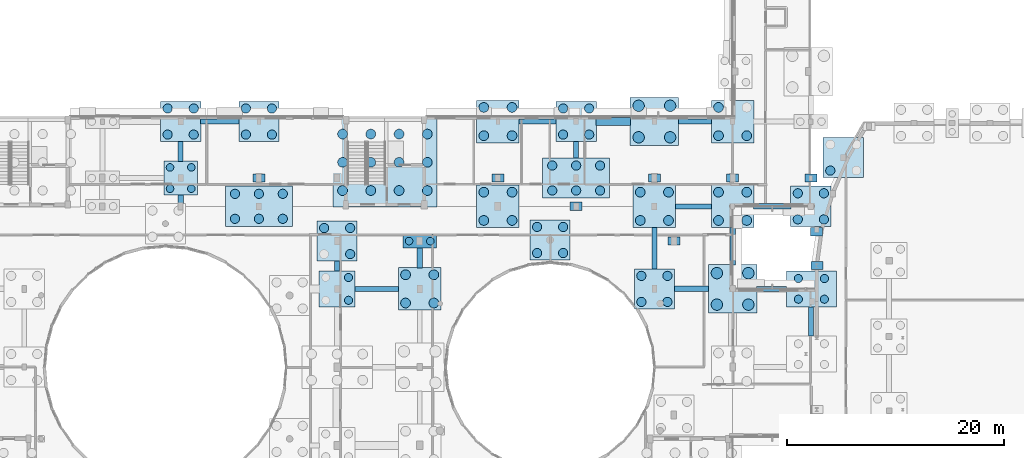
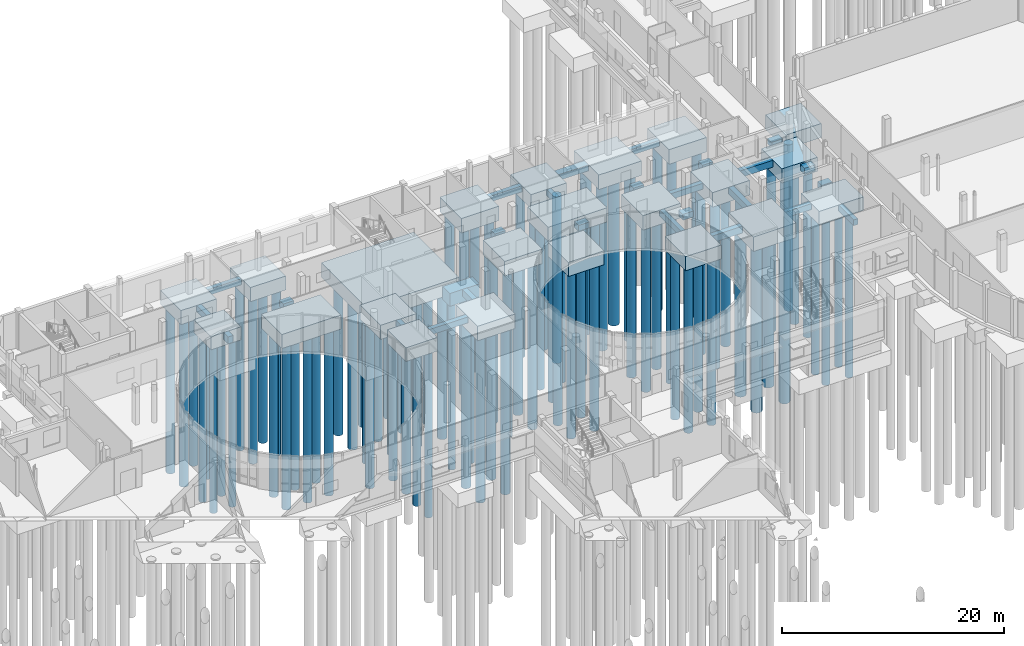
# One storey, part 7 of 93: 95 piles, 49 footings.
"""IFC4 building model written with IfcOpenShell, lengths in metres."""

from ifc_helpers import new_model, si_unit, direction, frame, origin, origin_2d, place, context, subcontext, project, spatial, rectangle, circle, extrude, material, material_profile, profile_set, type_object, element, save


model = new_model("IFC4")

# Units and contexts
model_context = context("Model", 3, precision=1e-05, world=origin(), true_north=direction((0.0, 1.0)))
body_context = subcontext(model_context, "Body", "Model", "MODEL_VIEW")
ifc_project = project(units=[si_unit("LENGTHUNIT", "METRE"), si_unit("AREAUNIT", "SQUARE_METRE"), si_unit("VOLUMEUNIT", "CUBIC_METRE"), si_unit("PLANEANGLEUNIT", "RADIAN"), si_unit("MASSUNIT", "GRAM", prefix="KILO")], contexts=[model_context])

# Site, building, storey
site_placement = place(None, origin())
site = spatial("IfcSite", under=ifc_project, at=site_placement, CompositionType="ELEMENT")
building_placement = place(site_placement, origin())
building = spatial("IfcBuilding", under=site, at=building_placement, Name="Kelanivale Promenade Academy", CompositionType="ELEMENT")
storey_placement = place(building_placement, origin())
storey = spatial("IfcBuildingStorey", under=building, at=storey_placement, Name="L00", CompositionType="ELEMENT", Elevation=0.0)

# Piles
ifc_material = material(Name="Concrete C35/45", Category="concrete")
ifc_material_profile_1 = material_profile(ifc_material, circle(Radius=0.35009765625, at=origin_2d()), Name="BORED PILE D700")
ifc_profile_set_1 = profile_set([ifc_material_profile_1], Name="Concrete C35/45")
pile_type_1 = type_object("IfcPileType", Name="BP-2 BORED PILE D700", PredefinedType="BORED", material=ifc_profile_set_1)
for number, where, z_axis, x_axis, name in (
    (1, (63.820068359375, 73.219970703125, -1.550048828125), (0.0, 0.0, -1.0), (1.0, 0.0, 0.0), "Bored pile FC-076-BP2-P01"),
    (2, (63.820068359375, 75.179931640625, -1.550048828125), (0.0, 0.0, -1.0), (1.0, 0.0, 0.0), "Bored pile FC-076-BP2-P02"),
    (3, (65.780029296875, 73.219970703125, -1.550048828125), (0.0, 0.0, -1.0), (1.0, 0.0, 0.0), "Bored pile FC-076-BP2-P03"),
    (4, (65.780029296875, 75.179931640625, -1.550048828125), (0.0, 0.0, -1.0), (1.0, 0.0, 0.0), "Bored pile FC-076-BP2-P04"),
):
    element("IfcPile", number, at=place(storey_placement, frame(where, z_axis=z_axis, x_axis=x_axis)), inside=storey, type_object=pile_type_1, Name=name, PredefinedType="BORED", context=body_context, shape_type="SweptSolid", body=[
        extrude(circle(Radius=0.35009765625, at=origin_2d()), origin(), (0.0, 0.0, 1.0), 18.449951171875),
    ])
for number, where, z_axis, x_axis, name in (
    (5, (85.820068359375, 68.39990234375, -1.5), (0.0, 0.0, -1.0), (1.0, 0.0, 0.0), "Bored pile FC-107-BP2-P01"),
    (6, (87.780029296875, 68.39990234375, -1.5), (0.0, 0.0, -1.0), (1.0, 0.0, 0.0), "Bored pile FC-107-BP2-P02"),
):
    element("IfcPile", number, at=place(storey_placement, frame(where, z_axis=z_axis, x_axis=x_axis)), inside=storey, type_object=pile_type_1, Name=name, PredefinedType="BORED", context=body_context, shape_type="SweptSolid", body=[
        extrude(circle(Radius=0.35009765625, at=origin_2d()), origin(), (0.0, 0.0, 1.0), 18.5),
    ])
ifc_material_profile_2 = material_profile(ifc_material, circle(Radius=0.375, at=origin_2d()), Name="BORED PILE D750")
ifc_profile_set_2 = profile_set([ifc_material_profile_2], Name="Concrete C35/45")
pile_type_2 = type_object("IfcPileType", Name="BP-3 BORED PILE D750", PredefinedType="BORED", material=ifc_profile_set_2)
for number, where, z_axis, x_axis, name in (
    (7, (121.64990234375, 63.050048828125, -1.64990234375), (0.0, 0.0, -1.0), (1.0, 0.0, 0.0), "Bored pile FC-MJ-E03-BP3-P01"),
    (8, (121.64990234375, 64.949951171875, -1.64990234375), (0.0, 0.0, -1.0), (1.0, 0.0, 0.0), "Bored pile FC-MJ-E03-BP3-P02"),
    (9, (124.050048828125, 63.050048828125, -1.64990234375), (0.0, 0.0, -1.0), (1.0, 0.0, 0.0), "Bored pile FC-MJ-E03-BP3-P03"),
    (10, (124.050048828125, 64.949951171875, -1.64990234375), (0.0, 0.0, -1.0), (1.0, 0.0, 0.0), "Bored pile FC-MJ-E03-BP3-P04"),
):
    element("IfcPile", number, at=place(storey_placement, frame(where, z_axis=z_axis, x_axis=x_axis)), inside=storey, type_object=pile_type_2, Name=name, PredefinedType="BORED", context=body_context, shape_type="SweptSolid", body=[
        extrude(circle(Radius=0.375, at=origin_2d()), origin(), (0.0, 0.0, 1.0), 18.35009765625),
    ])
for number, where, z_axis, x_axis, name in (
    (11, (80.25, 62.949951171875, -1.60009765625), (0.0, 0.0, -1.0), (1.0, 0.0, 0.0), "Bored pile FC-096-BP3-P03"),
    (12, (80.25, 65.050048828125, -1.60009765625), (0.0, 0.0, -1.0), (1.0, 0.0, 0.0), "Bored pile FC-096-BP3-P04"),
):
    element("IfcPile", number, at=place(storey_placement, frame(where, z_axis=z_axis, x_axis=x_axis)), inside=storey, type_object=pile_type_2, Name=name, PredefinedType="BORED", context=body_context, shape_type="SweptSolid", body=[
        extrude(circle(Radius=0.375, at=origin_2d()), origin(), (0.0, 0.0, 1.0), 18.39990234375),
    ])
ifc_material_profile_3 = material_profile(ifc_material, circle(Radius=0.425048828125, at=origin_2d()), Name="BORED PILE D850")
ifc_profile_set_3 = profile_set([ifc_material_profile_3], Name="Concrete C35/45")
pile_type_3 = type_object("IfcPileType", Name="BP-4 BORED PILE D850", PredefinedType="BORED", material=ifc_profile_set_3)
for number, where, z_axis, x_axis, name in (
    (13, (63.60009765625, 78.199951171875, -1.64990234375), (0.0, 0.0, -1.0), (1.0, 0.0, 0.0), "Bored pile FC-077-BP4-P01"),
    (14, (63.60009765625, 80.60009765625, -1.64990234375), (0.0, 0.0, -1.0), (1.0, 0.0, 0.0), "Bored pile FC-077-BP4-P02"),
    (15, (66.0, 78.199951171875, -1.64990234375), (0.0, 0.0, -1.0), (1.0, 0.0, 0.0), "Bored pile FC-077-BP4-P03"),
    (16, (66.0, 80.60009765625, -1.64990234375), (0.0, 0.0, -1.0), (1.0, 0.0, 0.0), "Bored pile FC-077-BP4-P04"),
    (17, (69.800048828125, 70.449951171875, -1.64990234375), (0.0, 0.0, -1.0), (1.0, 0.0, 0.0), "Bored pile FC-084-BP4-P01"),
    (18, (72.0, 70.449951171875, -1.64990234375), (0.0, 0.0, -1.0), (1.0, 0.0, 0.0), "Bored pile FC-084-BP4-P02"),
    (19, (74.199951171875, 70.449951171875, -1.64990234375), (0.0, 0.0, -1.0), (1.0, 0.0, 0.0), "Bored pile FC-084-BP4-P03"),
    (20, (69.800048828125, 72.75, -1.64990234375), (0.0, 0.0, -1.0), (1.0, 0.0, 0.0), "Bored pile FC-084-BP4-P04"),
    (21, (72.0, 72.75, -1.64990234375), (0.0, 0.0, -1.0), (1.0, 0.0, 0.0), "Bored pile FC-084-BP4-P05"),
    (22, (74.199951171875, 72.75, -1.64990234375), (0.0, 0.0, -1.0), (1.0, 0.0, 0.0), "Bored pile FC-084-BP4-P06"),
    (23, (70.800048828125, 78.199951171875, -1.64990234375), (0.0, 0.0, -1.0), (1.0, 0.0, 0.0), "Bored pile FC-085-BP4-P01"),
    (24, (70.800048828125, 80.60009765625, -1.64990234375), (0.0, 0.0, -1.0), (1.0, 0.0, 0.0), "Bored pile FC-085-BP4-P02"),
    (25, (73.199951171875, 78.199951171875, -1.64990234375), (0.0, 0.0, -1.0), (1.0, 0.0, 0.0), "Bored pile FC-085-BP4-P03"),
    (26, (73.199951171875, 80.60009765625, -1.64990234375), (0.0, 0.0, -1.0), (1.0, 0.0, 0.0), "Bored pile FC-085-BP4-P04"),
    (27, (78.0, 69.60009765625, -1.64990234375), (0.0, 0.0, -1.0), (1.0, 0.0, 0.0), "Bored pile FC-097-BP4-P02"),
    (28, (80.39990234375, 67.199951171875, -1.64990234375), (0.0, 0.0, -1.0), (1.0, 0.0, 0.0), "Bored pile FC-097-BP4-P03"),
    (29, (80.39990234375, 69.60009765625, -1.64990234375), (0.0, 0.0, -1.0), (1.0, 0.0, 0.0), "Bored pile FC-097-BP4-P04"),
    (30, (97.60009765625, 67.300048828125, -1.64990234375), (0.0, 0.0, -1.0), (1.0, 0.0, 0.0), "Bored pile FC-121-BP4-P01"),
    (31, (97.60009765625, 69.699951171875, -1.64990234375), (0.0, 0.0, -1.0), (1.0, 0.0, 0.0), "Bored pile FC-121-BP4-P02"),
    (32, (100.0, 67.300048828125, -1.64990234375), (0.0, 0.0, -1.0), (1.0, 0.0, 0.0), "Bored pile FC-121-BP4-P03"),
    (33, (100.0, 69.699951171875, -1.64990234375), (0.0, 0.0, -1.0), (1.0, 0.0, 0.0), "Bored pile FC-121-BP4-P04"),
    (34, (99.0, 73.050048828125, -1.64990234375), (0.0, 0.0, -1.0), (1.0, 0.0, 0.0), "Bored pile FC-126-BP4-P01"),
    (35, (101.199951171875, 73.050048828125, -1.64990234375), (0.0, 0.0, -1.0), (1.0, 0.0, 0.0), "Bored pile FC-126-BP4-P02"),
    (36, (103.39990234375, 73.050048828125, -1.64990234375), (0.0, 0.0, -1.0), (1.0, 0.0, 0.0), "Bored pile FC-126-BP4-P03"),
    (37, (99.0, 75.35009765625, -1.64990234375), (0.0, 0.0, -1.0), (1.0, 0.0, 0.0), "Bored pile FC-126-BP4-P04"),
    (38, (101.199951171875, 75.35009765625, -1.64990234375), (0.0, 0.0, -1.0), (1.0, 0.0, 0.0), "Bored pile FC-126-BP4-P05"),
    (39, (103.39990234375, 75.35009765625, -1.64990234375), (0.0, 0.0, -1.0), (1.0, 0.0, 0.0), "Bored pile FC-126-BP4-P06"),
    (40, (100.0, 78.199951171875, -1.64990234375), (0.0, 0.0, -1.0), (1.0, 0.0, 0.0), "Bored pile FC-127-BP4-P01"),
    (41, (100.0, 80.60009765625, -1.64990234375), (0.0, 0.0, -1.0), (1.0, 0.0, 0.0), "Bored pile FC-127-BP4-P02"),
    (42, (102.39990234375, 78.199951171875, -1.64990234375), (0.0, 0.0, -1.0), (1.0, 0.0, 0.0), "Bored pile FC-127-BP4-P03"),
    (43, (102.39990234375, 80.60009765625, -1.64990234375), (0.0, 0.0, -1.0), (1.0, 0.0, 0.0), "Bored pile FC-127-BP4-P04"),
    (44, (107.199951171875, 62.800048828125, -1.64990234375), (0.0, 0.0, -1.0), (1.0, 0.0, 0.0), "Bored pile FC-130-BP4-P01"),
    (45, (107.199951171875, 65.199951171875, -1.64990234375), (0.0, 0.0, -1.0), (1.0, 0.0, 0.0), "Bored pile FC-130-BP4-P02"),
    (46, (109.60009765625, 62.800048828125, -1.64990234375), (0.0, 0.0, -1.0), (1.0, 0.0, 0.0), "Bored pile FC-130-BP4-P03"),
    (47, (109.60009765625, 65.199951171875, -1.64990234375), (0.0, 0.0, -1.0), (1.0, 0.0, 0.0), "Bored pile FC-130-BP4-P04"),
    (48, (121.60009765625, 70.39990234375, -1.64990234375), (0.0, 0.0, -1.0), (1.0, 0.0, 0.0), "Bored pile FC-142-BP4-P01"),
    (49, (121.60009765625, 72.800048828125, -1.64990234375), (0.0, 0.0, -1.0), (1.0, 0.0, 0.0), "Bored pile FC-142-BP4-P02"),
    (50, (124.0, 70.39990234375, -1.64990234375), (0.0, 0.0, -1.0), (1.0, 0.0, 0.0), "Bored pile FC-142-BP4-P03"),
    (51, (124.0, 72.800048828125, -1.64990234375), (0.0, 0.0, -1.0), (1.0, 0.0, 0.0), "Bored pile FC-142-BP4-P04"),
):
    element("IfcPile", number, at=place(storey_placement, frame(where, z_axis=z_axis, x_axis=x_axis)), inside=storey, type_object=pile_type_3, Name=name, PredefinedType="BORED", context=body_context, shape_type="SweptSolid", body=[
        extrude(circle(Radius=0.425048828125, at=origin_2d()), origin(), (0.0, 0.0, 1.0), 18.35009765625),
    ])
pile_placement = place(storey_placement, frame((124.590087890625, 74.885986328125, -1.699951171875), z_axis=(0.0, 0.0, -1.0), x_axis=(1.0, 0.0, 0.0)))
element("IfcPile", 52, at=pile_placement, inside=storey, type_object=pile_type_3, Name="Bored pile FC-148-BP4-P01", PredefinedType="BORED", context=body_context, shape_type="SweptSolid", body=[
    extrude(circle(Radius=0.425048828125, at=origin_2d()), origin(), (0.0, 0.0, 1.0), 18.300048828125),
])
ifc_material_profile_4 = material_profile(ifc_material, circle(Radius=0.449951171875, at=origin_2d()), Name="BORED PILE D900")
ifc_profile_set_4 = profile_set([ifc_material_profile_4], Name="Concrete C35/45")
pile_type_4 = type_object("IfcPileType", Name="BP-5 BORED PILE D900", PredefinedType="BORED", material=ifc_profile_set_4)
for number, where, z_axis, x_axis, name in (
    (53, (79.699951171875, 73.050048828125, -3.300048828125), (0.0, 0.0, -1.0), (1.0, 0.0, 0.0), "Bored pile FC-CORE-02-BP5-P01"),
    (54, (79.699951171875, 75.64990234375, -3.300048828125), (0.0, 0.0, -1.0), (1.0, 0.0, 0.0), "Bored pile FC-CORE-02-BP5-P02"),
    (55, (79.699951171875, 78.25, -3.300048828125), (0.0, 0.0, -1.0), (1.0, 0.0, 0.0), "Bored pile FC-CORE-02-BP5-P03"),
    (56, (82.300048828125, 73.050048828125, -3.300048828125), (0.0, 0.0, -1.0), (1.0, 0.0, 0.0), "Bored pile FC-CORE-02-BP5-P04"),
    (57, (82.300048828125, 75.64990234375, -3.300048828125), (0.0, 0.0, -1.0), (1.0, 0.0, 0.0), "Bored pile FC-CORE-02-BP5-P05"),
    (58, (82.300048828125, 78.25, -3.300048828125), (0.0, 0.0, -1.0), (1.0, 0.0, 0.0), "Bored pile FC-CORE-02-BP5-P06"),
    (59, (84.89990234375, 73.050048828125, -3.300048828125), (0.0, 0.0, -1.0), (1.0, 0.0, 0.0), "Bored pile FC-CORE-02-BP5-P07"),
    (60, (84.89990234375, 75.64990234375, -3.300048828125), (0.0, 0.0, -1.0), (1.0, 0.0, 0.0), "Bored pile FC-CORE-02-BP5-P08"),
    (61, (84.89990234375, 78.25, -3.300048828125), (0.0, 0.0, -1.0), (1.0, 0.0, 0.0), "Bored pile FC-CORE-02-BP5-P09"),
    (62, (87.5, 73.050048828125, -3.300048828125), (0.0, 0.0, -1.0), (1.0, 0.0, 0.0), "Bored pile FC-CORE-02-BP5-P10"),
    (63, (87.5, 75.64990234375, -3.300048828125), (0.0, 0.0, -1.0), (1.0, 0.0, 0.0), "Bored pile FC-CORE-02-BP5-P11"),
    (64, (87.5, 78.25, -3.300048828125), (0.0, 0.0, -1.0), (1.0, 0.0, 0.0), "Bored pile FC-CORE-02-BP5-P12"),
):
    element("IfcPile", number, at=place(storey_placement, frame(where, z_axis=z_axis, x_axis=x_axis)), inside=storey, type_object=pile_type_4, Name=name, PredefinedType="BORED", context=body_context, shape_type="SweptSolid", body=[
        extrude(circle(Radius=0.449951171875, at=origin_2d()), origin(), (0.0, 0.0, 1.0), 16.699951171875),
    ])
for number, where, z_axis, x_axis, name in (
    (65, (85.5, 62.699951171875, -1.699951171875), (0.0, 0.0, -1.0), (1.0, 0.0, 0.0), "Bored pile FC-106-BP5-P01"),
    (66, (85.5, 65.300048828125, -1.699951171875), (0.0, 0.0, -1.0), (1.0, 0.0, 0.0), "Bored pile FC-106-BP5-P02"),
    (67, (88.10009765625, 62.699951171875, -1.699951171875), (0.0, 0.0, -1.0), (1.0, 0.0, 0.0), "Bored pile FC-106-BP5-P03"),
    (68, (88.10009765625, 65.300048828125, -1.699951171875), (0.0, 0.0, -1.0), (1.0, 0.0, 0.0), "Bored pile FC-106-BP5-P04"),
    (69, (92.699951171875, 70.300048828125, -1.699951171875), (0.0, 0.0, -1.0), (1.0, 0.0, 0.0), "Bored pile FC-118-BP5-P01"),
    (70, (92.699951171875, 72.89990234375, -1.699951171875), (0.0, 0.0, -1.0), (1.0, 0.0, 0.0), "Bored pile FC-118-BP5-P02"),
    (71, (95.300048828125, 70.300048828125, -1.699951171875), (0.0, 0.0, -1.0), (1.0, 0.0, 0.0), "Bored pile FC-118-BP5-P03"),
    (72, (95.300048828125, 72.89990234375, -1.699951171875), (0.0, 0.0, -1.0), (1.0, 0.0, 0.0), "Bored pile FC-118-BP5-P04"),
    (73, (92.699951171875, 78.10009765625, -1.699951171875), (0.0, 0.0, -1.0), (1.0, 0.0, 0.0), "Bored pile FC-119-BP5-P01"),
    (74, (92.699951171875, 80.699951171875, -1.699951171875), (0.0, 0.0, -1.0), (1.0, 0.0, 0.0), "Bored pile FC-119-BP5-P02"),
    (75, (95.300048828125, 78.10009765625, -1.699951171875), (0.0, 0.0, -1.0), (1.0, 0.0, 0.0), "Bored pile FC-119-BP5-P03"),
    (76, (95.300048828125, 80.699951171875, -1.699951171875), (0.0, 0.0, -1.0), (1.0, 0.0, 0.0), "Bored pile FC-119-BP5-P04"),
    (77, (107.10009765625, 70.300048828125, -1.699951171875), (0.0, 0.0, -1.0), (1.0, 0.0, 0.0), "Bored pile FC-131-BP5-P01"),
    (78, (107.10009765625, 72.89990234375, -1.699951171875), (0.0, 0.0, -1.0), (1.0, 0.0, 0.0), "Bored pile FC-131-BP5-P02"),
    (79, (109.699951171875, 70.300048828125, -1.699951171875), (0.0, 0.0, -1.0), (1.0, 0.0, 0.0), "Bored pile FC-131-BP5-P03"),
    (80, (109.699951171875, 72.89990234375, -1.699951171875), (0.0, 0.0, -1.0), (1.0, 0.0, 0.0), "Bored pile FC-131-BP5-P04"),
    (81, (114.300048828125, 70.300048828125, -1.699951171875), (0.0, 0.0, -1.0), (1.0, 0.0, 0.0), "Bored pile FC-136-BP5-P01"),
    (82, (114.300048828125, 72.89990234375, -1.699951171875), (0.0, 0.0, -1.0), (1.0, 0.0, 0.0), "Bored pile FC-136-BP5-P02"),
    (83, (116.89990234375, 70.300048828125, -1.699951171875), (0.0, 0.0, -1.0), (1.0, 0.0, 0.0), "Bored pile FC-136-BP5-P03"),
    (84, (116.89990234375, 72.89990234375, -1.699951171875), (0.0, 0.0, -1.0), (1.0, 0.0, 0.0), "Bored pile FC-136-BP5-P04"),
    (85, (114.300048828125, 78.10009765625, -1.699951171875), (0.0, 0.0, -1.0), (1.0, 0.0, 0.0), "Bored pile FC-137-BP5-P01"),
    (86, (114.300048828125, 80.699951171875, -1.699951171875), (0.0, 0.0, -1.0), (1.0, 0.0, 0.0), "Bored pile FC-137-BP5-P02"),
    (87, (116.89990234375, 78.10009765625, -1.699951171875), (0.0, 0.0, -1.0), (1.0, 0.0, 0.0), "Bored pile FC-137-BP5-P03"),
):
    element("IfcPile", number, at=place(storey_placement, frame(where, z_axis=z_axis, x_axis=x_axis)), inside=storey, type_object=pile_type_4, Name=name, PredefinedType="BORED", context=body_context, shape_type="SweptSolid", body=[
        extrude(circle(Radius=0.449951171875, at=origin_2d()), origin(), (0.0, 0.0, 1.0), 18.300048828125),
    ])
ifc_material_profile_5 = material_profile(ifc_material, circle(Radius=0.52490234375, at=origin_2d()), Name="BORED PILE D1050")
ifc_profile_set_5 = profile_set([ifc_material_profile_5], Name="Concrete C35/45")
pile_type_5 = type_object("IfcPileType", Name="BP-6 BORED PILE D1050", PredefinedType="BORED", material=ifc_profile_set_5)
for number, where, z_axis, x_axis, name in (
    (88, (106.949951171875, 77.949951171875, -1.699951171875), (0.0, 0.0, -1.0), (1.0, 0.0, 0.0), "Bored pile FC-132-BP6-P01"),
    (89, (106.949951171875, 80.85009765625, -1.699951171875), (0.0, 0.0, -1.0), (1.0, 0.0, 0.0), "Bored pile FC-132-BP6-P02"),
    (90, (109.85009765625, 77.949951171875, -1.699951171875), (0.0, 0.0, -1.0), (1.0, 0.0, 0.0), "Bored pile FC-132-BP6-P03"),
    (91, (109.85009765625, 80.85009765625, -1.699951171875), (0.0, 0.0, -1.0), (1.0, 0.0, 0.0), "Bored pile FC-132-BP6-P04"),
    (92, (114.14990234375, 62.550048828125, -1.699951171875), (0.0, 0.0, -1.0), (1.0, 0.0, 0.0), "Bored pile FC-135-BP6-P01"),
    (93, (114.14990234375, 65.449951171875, -1.699951171875), (0.0, 0.0, -1.0), (1.0, 0.0, 0.0), "Bored pile FC-135-BP6-P02"),
    (94, (117.050048828125, 62.550048828125, -1.699951171875), (0.0, 0.0, -1.0), (1.0, 0.0, 0.0), "Bored pile FC-135-BP6-P03"),
    (95, (117.050048828125, 65.449951171875, -1.699951171875), (0.0, 0.0, -1.0), (1.0, 0.0, 0.0), "Bored pile FC-135-BP6-P04"),
):
    element("IfcPile", number, at=place(storey_placement, frame(where, z_axis=z_axis, x_axis=x_axis)), inside=storey, type_object=pile_type_5, Name=name, PredefinedType="BORED", context=body_context, shape_type="SweptSolid", body=[
        extrude(circle(Radius=0.52490234375, at=origin_2d()), origin(), (0.0, 0.0, 1.0), 18.300048828125),
    ])

# Footings
footing_type_1 = type_object("IfcFootingType", Name="GB-01 450x650", PredefinedType="FOOTING_BEAM", material=ifc_material)
footing_1_placement = place(storey_placement, frame((82.85009765625, 64.0, -0.89990234375), z_axis=(0.0, 0.0, 1.0), x_axis=(1.0, 0.0, 0.0)))
element("IfcFooting", 96, at=footing_1_placement, inside=storey, type_object=footing_type_1, Name="Ground beam GB-092", PredefinedType="FOOTING_BEAM", context=body_context, shape_type="SweptSolid", body=[
    extrude(rectangle(XDim=4.010009765625, YDim=0.449951171875, at=origin_2d()), origin(), (0.0, 0.0, 1.0), 0.64990234375),
])
footing_2_placement = place(storey_placement, frame((119.18798828125, 64.0, -0.949951171875), z_axis=(0.0, 0.0, 1.0), x_axis=(1.0, 0.0, 0.0)))
element("IfcFooting", 97, at=footing_2_placement, inside=storey, type_object=footing_type_1, Name="Ground beam GB-094", PredefinedType="FOOTING_BEAM", context=body_context, shape_type="SweptSolid", body=[
    extrude(rectangle(XDim=2.735107421875, YDim=0.449951171875, at=origin_2d()), origin(), (0.0, 0.0, 1.0), 0.64990234375),
])
footing_3_placement = place(storey_placement, frame((112.0, 71.60009765625, -0.89990234375), z_axis=(0.0, 0.0, 1.0), x_axis=(1.0, 0.0, 0.0)))
element("IfcFooting", 98, at=footing_3_placement, inside=storey, type_object=footing_type_1, Name="Ground beam GB-095", PredefinedType="FOOTING_BEAM", context=body_context, shape_type="SweptSolid", body=[
    extrude(rectangle(XDim=3.31005859375, YDim=0.449951171875, at=origin_2d()), origin(), (0.0, 0.0, 1.0), 0.64990234375),
])
footing_4_placement = place(storey_placement, frame((68.39990234375, 79.39990234375, -0.89990234375), z_axis=(0.0, 0.0, 1.0), x_axis=(1.0, 0.0, 0.0)))
element("IfcFooting", 99, at=footing_4_placement, inside=storey, type_object=footing_type_1, Name="Ground beam GB-103", PredefinedType="FOOTING_BEAM", context=body_context, shape_type="SweptSolid", body=[
    extrude(rectangle(XDim=3.510009765625, YDim=0.449951171875, at=origin_2d()), origin(), (0.0, 0.0, 1.0), 0.64990234375),
])
footing_5_placement = place(storey_placement, frame((97.64990234375, 79.39990234375, -0.89990234375), z_axis=(0.0, 0.0, 1.0), x_axis=(1.0, 0.0, 0.0)))
element("IfcFooting", 100, at=footing_5_placement, inside=storey, type_object=footing_type_1, Name="Ground beam GB-104", PredefinedType="FOOTING_BEAM", context=body_context, shape_type="SweptSolid", body=[
    extrude(rectangle(XDim=3.409912109375, YDim=0.449951171875, at=origin_2d()), origin(), (0.0, 0.0, 1.0), 0.64990234375),
])
footing_6_placement = place(storey_placement, frame((112.136962890625, 79.39990234375, -0.89990234375), z_axis=(0.0, 0.0, 1.0), x_axis=(1.0, 0.0, 0.0)))
element("IfcFooting", 101, at=footing_6_placement, inside=storey, type_object=footing_type_1, Name="Ground beam GB-106", PredefinedType="FOOTING_BEAM", context=body_context, shape_type="SweptSolid", body=[
    extrude(rectangle(XDim=3.034912109375, YDim=0.449951171875, at=origin_2d()), origin(), (0.0, 0.0, 1.0), 0.64990234375),
])
footing_7_placement = place(storey_placement, frame((64.800048828125, 76.64990234375, -0.89990234375), z_axis=(0.0, 0.0, 1.0), x_axis=(0.0, 1.0, 0.0)))
element("IfcFooting", 102, at=footing_7_placement, inside=storey, type_object=footing_type_1, Name="Ground beam GB-151", PredefinedType="FOOTING_BEAM", context=body_context, shape_type="SweptSolid", body=[
    extrude(rectangle(XDim=1.81005859375, YDim=0.449951171875, at=origin_2d()), origin(), (0.0, 0.0, 1.0), 0.64990234375),
])
footing_8_placement = place(storey_placement, frame((79.199951171875, 66.10009765625, -0.89990234375), z_axis=(0.0, 0.0, 1.0), x_axis=(0.0, 1.0, 0.0)))
element("IfcFooting", 103, at=footing_8_placement, inside=storey, type_object=footing_type_1, Name="Ground beam GB-163", PredefinedType="FOOTING_BEAM", context=body_context, shape_type="SweptSolid", body=[
    extrude(rectangle(XDim=0.909912109375, YDim=0.449951171875, at=origin_2d()), origin(), (0.0, 0.0, 1.0), 0.64990234375),
])
footing_9_placement = place(storey_placement, frame((101.199951171875, 76.800048828125, -0.89990234375), z_axis=(0.0, 0.0, 1.0), x_axis=(0.0, 1.0, 0.0)))
element("IfcFooting", 104, at=footing_9_placement, inside=storey, type_object=footing_type_1, Name="Ground beam GB-179", PredefinedType="FOOTING_BEAM", context=body_context, shape_type="SweptSolid", body=[
    extrude(rectangle(XDim=1.510009765625, YDim=0.449951171875, at=origin_2d()), origin(), (0.0, 0.0, 1.0), 0.64990234375),
])
footing_10_placement = place(storey_placement, frame((108.39990234375, 67.75, -0.89990234375), z_axis=(0.0, 0.0, 1.0), x_axis=(0.0, 1.0, 0.0)))
element("IfcFooting", 105, at=footing_10_placement, inside=storey, type_object=footing_type_1, Name="Ground beam GB-181", PredefinedType="FOOTING_BEAM", context=body_context, shape_type="SweptSolid", body=[
    extrude(rectangle(XDim=3.81005859375, YDim=0.449951171875, at=origin_2d()), origin(), (0.0, 0.0, 1.0), 0.64990234375),
])
footing_11_placement = place(storey_placement, frame((122.800048828125, 61.0, -0.949951171875), z_axis=(0.0, 0.0, 1.0), x_axis=(0.0, 1.0, 0.0)))
element("IfcFooting", 106, at=footing_11_placement, inside=storey, type_object=footing_type_1, Name="Ground beam GB-187", PredefinedType="FOOTING_BEAM", context=body_context, shape_type="SweptSolid", body=[
    extrude(rectangle(XDim=2.7099609375, YDim=0.449951171875, at=origin_2d()), origin(), (0.0, 0.0, 1.0), 0.64990234375),
])
footing_type_2 = type_object("IfcFootingType", Name="GB-02 500x750", PredefinedType="FOOTING_BEAM", material=ifc_material)
footing_12_placement = place(storey_placement, frame((111.81201171875, 64.0, -1.0), z_axis=(0.0, 0.0, 1.0), x_axis=(1.0, 0.0, 0.0)))
element("IfcFooting", 107, at=footing_12_placement, inside=storey, type_object=footing_type_2, Name="Ground beam GB-093", PredefinedType="FOOTING_BEAM", context=body_context, shape_type="SweptSolid", body=[
    extrude(rectangle(XDim=3.135009765625, YDim=0.5, at=origin_2d()), origin(), (0.0, 0.0, 1.0), 0.75),
])
footing_13_placement = place(storey_placement, frame((119.25, 71.60009765625, -1.0), z_axis=(0.0, 0.0, 1.0), x_axis=(1.0, 0.0, 0.0)))
element("IfcFooting", 108, at=footing_13_placement, inside=storey, type_object=footing_type_2, Name="Ground beam GB-096", PredefinedType="FOOTING_BEAM", context=body_context, shape_type="SweptSolid", body=[
    extrude(rectangle(XDim=3.409912109375, YDim=0.5, at=origin_2d()), origin(), (0.0, 0.0, 1.0), 0.75),
])
footing_14_placement = place(storey_placement, frame((64.800048828125, 72.25, -1.0), z_axis=(0.0, 0.0, 1.0), x_axis=(0.0, 1.0, 0.0)))
element("IfcFooting", 109, at=footing_14_placement, inside=storey, type_object=footing_type_2, Name="Ground beam GB-150", PredefinedType="FOOTING_BEAM", context=body_context, shape_type="SweptSolid", body=[
    extrude(rectangle(XDim=0.81005859375, YDim=0.5, at=origin_2d()), origin(), (0.0, 0.0, 1.0), 0.75),
])
footing_15_placement = place(storey_placement, frame((86.800048828125, 66.85009765625, -1.0), z_axis=(0.0, 0.0, 1.0), x_axis=(0.0, 1.0, 0.0)))
element("IfcFooting", 110, at=footing_15_placement, inside=storey, type_object=footing_type_2, Name="Ground beam GB-171", PredefinedType="FOOTING_BEAM", context=body_context, shape_type="SweptSolid", body=[
    extrude(rectangle(XDim=1.81005859375, YDim=0.5, at=origin_2d()), origin(), (0.0, 0.0, 1.0), 0.75),
])
footing_16_placement = place(storey_placement, frame((115.60009765625, 67.93798828125, -1.0), z_axis=(0.0, 0.0, 1.0), x_axis=(0.0, 1.0, 0.0)))
element("IfcFooting", 111, at=footing_16_placement, inside=storey, type_object=footing_type_2, Name="Ground beam GB-183", PredefinedType="FOOTING_BEAM", context=body_context, shape_type="SweptSolid", body=[
    extrude(rectangle(XDim=3.43505859375, YDim=0.5, at=origin_2d()), origin(), (0.0, 0.0, 1.0), 0.75),
])
footing_type_3 = type_object("IfcFootingType", Name="PC-03 Pile Cap 3100x1300x1400", PredefinedType="PILE_CAP", material=ifc_material)
footing_17_placement = place(storey_placement, frame((86.800048828125, 68.39990234375, -1.64990234375), z_axis=(0.0, 0.0, 1.0), x_axis=(1.0, 0.0, 0.0)))
element("IfcFooting", 112, at=footing_17_placement, inside=storey, type_object=footing_type_3, Name="Pile cap FC-107", PredefinedType="PILE_CAP", context=body_context, shape_type="SweptSolid", body=[
    extrude(rectangle(XDim=3.10009765625, YDim=1.300048828125, at=origin_2d()), origin(), (0.0, 0.0, 1.0), 1.39990234375),
])
footing_type_4 = type_object("IfcFootingType", Name="PC-04 Pile Cap 3100x3100x1450", PredefinedType="PILE_CAP", material=ifc_material)
footing_18_placement = place(storey_placement, frame((64.800048828125, 74.199951171875, -1.7001953125), z_axis=(0.0, 0.0, 1.0), x_axis=(1.0, 0.0, 0.0)))
element("IfcFooting", 113, at=footing_18_placement, inside=storey, type_object=footing_type_4, Name="Pile cap FC-076", PredefinedType="PILE_CAP", context=body_context, shape_type="SweptSolid", body=[
    extrude(rectangle(XDim=3.10009765625, YDim=3.10009765625, at=origin_2d()), origin(), (0.0, 0.0, 1.0), 1.449951171875),
])
footing_type_5 = type_object("IfcFootingType", Name="PC-05 Pile Cap 3300x3300x1500", PredefinedType="PILE_CAP", material=ifc_material)
footing_19_placement = place(storey_placement, frame((79.199951171875, 64.0, -1.75), z_axis=(0.0, 0.0, 1.0), x_axis=(1.0, 0.0, 0.0)))
element("IfcFooting", 114, at=footing_19_placement, inside=storey, type_object=footing_type_5, Name="Pile cap FC-096", PredefinedType="PILE_CAP", context=body_context, shape_type="SweptSolid", body=[
    extrude(rectangle(XDim=3.300048828125, YDim=3.300048828125, at=origin_2d()), origin(), (0.0, 0.0, 1.0), 1.5),
])
footing_type_6 = type_object("IfcFootingType", Name="PC-07 Pile Cap 3700x3700x1550", PredefinedType="PILE_CAP", material=ifc_material)
for number, where, z_axis, x_axis, name in (
    (115, (64.800048828125, 79.39990234375, -1.7998046875), (0.0, 0.0, 1.0), (1.0, 0.0, 0.0), "Pile cap FC-077"),
    (116, (72.0, 79.39990234375, -1.7998046875), (0.0, 0.0, 1.0), (1.0, 0.0, 0.0), "Pile cap FC-085"),
    (117, (79.199951171875, 68.39990234375, -1.7998046875), (0.0, 0.0, 1.0), (1.0, 0.0, 0.0), "Pile cap FC-097"),
    (118, (98.800048828125, 68.5, -1.7998046875), (0.0, 0.0, 1.0), (1.0, 0.0, 0.0), "Pile cap FC-121"),
    (119, (101.199951171875, 79.39990234375, -1.7998046875), (0.0, 0.0, 1.0), (1.0, 0.0, 0.0), "Pile cap FC-127"),
    (120, (108.39990234375, 64.0, -1.7998046875), (0.0, 0.0, 1.0), (1.0, 0.0, 0.0), "Pile cap FC-130"),
    (121, (122.800048828125, 71.60009765625, -1.7998046875), (0.0, 0.0, 1.0), (1.0, 0.0, 0.0), "Pile cap FC-142"),
    (122, (125.7900390625, 76.0859375, -1.85009765625), (0.0, 0.0, 1.0), (1.0, 0.0, 0.0), "Pile cap FC-148"),
):
    element("IfcFooting", number, at=place(storey_placement, frame(where, z_axis=z_axis, x_axis=x_axis)), inside=storey, type_object=footing_type_6, Name=name, PredefinedType="PILE_CAP", context=body_context, shape_type="SweptSolid", body=[
        extrude(rectangle(XDim=3.699951171875, YDim=3.699951171875, at=origin_2d()), origin(), (0.0, 0.0, 1.0), 1.550048828125),
    ])
footing_type_7 = type_object("IfcFootingType", Name="PC-08 Pile Cap 6150x3700x1550", PredefinedType="PILE_CAP", material=ifc_material)
for number, where, z_axis, x_axis, name in (
    (123, (72.0, 71.60009765625, -1.7998046875), (0.0, 0.0, 1.0), (1.0, 0.0, 0.0), "Pile cap FC-084"),
    (124, (101.199951171875, 74.199951171875, -1.7998046875), (0.0, 0.0, 1.0), (1.0, 0.0, 0.0), "Pile cap FC-126"),
):
    element("IfcFooting", number, at=place(storey_placement, frame(where, z_axis=z_axis, x_axis=x_axis)), inside=storey, type_object=footing_type_7, Name=name, PredefinedType="PILE_CAP", context=body_context, shape_type="SweptSolid", body=[
        extrude(rectangle(XDim=6.14990234375, YDim=3.699951171875, at=origin_2d()), origin(), (0.0, 0.0, 1.0), 1.550048828125),
    ])
footing_type_8 = type_object("IfcFootingType", Name="PC-09 Pile Cap 3900x3900x1600", PredefinedType="PILE_CAP", material=ifc_material)
for number, where, z_axis, x_axis, name in (
    (125, (86.800048828125, 64.0, -1.85009765625), (0.0, 0.0, 1.0), (1.0, 0.0, 0.0), "Pile cap FC-106"),
    (126, (94.0, 71.60009765625, -1.85009765625), (0.0, 0.0, 1.0), (1.0, 0.0, 0.0), "Pile cap FC-118"),
    (127, (94.0, 79.39990234375, -1.85009765625), (0.0, 0.0, 1.0), (1.0, 0.0, 0.0), "Pile cap FC-119"),
    (128, (108.39990234375, 71.60009765625, -1.85009765625), (0.0, 0.0, 1.0), (1.0, 0.0, 0.0), "Pile cap FC-131"),
    (129, (115.60009765625, 71.60009765625, -1.85009765625), (0.0, 0.0, 1.0), (1.0, 0.0, 0.0), "Pile cap FC-136"),
    (130, (115.60009765625, 79.39990234375, -1.85009765625), (0.0, 0.0, 1.0), (1.0, 0.0, 0.0), "Pile cap FC-137"),
):
    element("IfcFooting", number, at=place(storey_placement, frame(where, z_axis=z_axis, x_axis=x_axis)), inside=storey, type_object=footing_type_8, Name=name, PredefinedType="PILE_CAP", context=body_context, shape_type="SweptSolid", body=[
        extrude(rectangle(XDim=3.89990234375, YDim=3.89990234375, at=origin_2d()), origin(), (0.0, 0.0, 1.0), 1.60009765625),
    ])
footing_type_9 = type_object("IfcFootingType", Name="PC-11 Pile Cap 4450x4450x1600", PredefinedType="PILE_CAP", material=ifc_material)
for number, where, z_axis, x_axis, name in (
    (131, (108.39990234375, 79.39990234375, -1.85009765625), (0.0, 0.0, 1.0), (1.0, 0.0, 0.0), "Pile cap FC-132"),
    (132, (115.60009765625, 64.0, -1.85009765625), (0.0, 0.0, 1.0), (1.0, 0.0, 0.0), "Pile cap FC-135"),
):
    element("IfcFooting", number, at=place(storey_placement, frame(where, z_axis=z_axis, x_axis=x_axis)), inside=storey, type_object=footing_type_9, Name=name, PredefinedType="PILE_CAP", context=body_context, shape_type="SweptSolid", body=[
        extrude(rectangle(XDim=4.449951171875, YDim=4.449951171875, at=origin_2d()), origin(), (0.0, 0.0, 1.0), 1.60009765625),
    ])
footing_type_10 = type_object("IfcFootingType", Name="PC-C1 Pile Cap 9600x8200x1600", PredefinedType="PILE_CAP", material=ifc_material)
footing_20_placement = place(storey_placement, frame((83.60009765625, 75.64990234375, -3.449951171875), z_axis=(0.0, 0.0, 1.0), x_axis=(1.0, 0.0, 0.0)))
element("IfcFooting", 133, at=footing_20_placement, inside=storey, type_object=footing_type_10, Name="Pile cap FC-CORE-02", PredefinedType="PILE_CAP", context=body_context, shape_type="SweptSolid", body=[
    extrude(rectangle(XDim=9.60009765625, YDim=8.199951171875, at=origin_2d()), origin(), (0.0, 0.0, 1.0), 1.60009765625),
])
footing_type_11 = type_object("IfcFootingType", Name="PC-J1 Pile Cap 4600x3300x1500", PredefinedType="PILE_CAP", material=ifc_material)
footing_21_placement = place(storey_placement, frame((122.85009765625, 64.0, -1.800048828125), z_axis=(0.0, 0.0, 1.0), x_axis=(1.0, 0.0, 0.0)))
element("IfcFooting", 134, at=footing_21_placement, inside=storey, type_object=footing_type_11, Name="Pile cap FC-MJ-E03", PredefinedType="PILE_CAP", context=body_context, shape_type="SweptSolid", body=[
    extrude(rectangle(XDim=4.60009765625, YDim=3.300048828125, at=origin_2d()), origin(), (0.0, 0.0, 1.0), 1.5),
])
footing_type_12 = type_object("IfcFootingType", Name="SF-01 750x650", PredefinedType="STRIP_FOOTING", material=ifc_material)
for number, where, z_axis, x_axis, name in (
    (135, (72.0, 74.199951171875, -0.89990234375), (0.0, 0.0, 1.0), (1.0, 0.0, 0.0), "Column pad footing FPAD-009"),
    (136, (94.0, 74.199951171875, -0.89990234375), (0.0, 0.0, 1.0), (1.0, 0.0, 0.0), "Column pad footing FPAD-010"),
    (137, (101.199951171875, 71.60009765625, -0.89990234375), (0.0, 0.0, 1.0), (1.0, 0.0, 0.0), "Column pad footing FPAD-011"),
    (138, (108.39990234375, 74.199951171875, -0.89990234375), (0.0, 0.0, 1.0), (1.0, 0.0, 0.0), "Column pad footing FPAD-012"),
    (139, (110.199951171875, 68.39990234375, -0.89990234375), (0.0, 0.0, 1.0), (1.0, 0.0, 0.0), "Column pad footing FPAD-013"),
    (140, (115.60009765625, 74.199951171875, -0.89990234375), (0.0, 0.0, 1.0), (1.0, 0.0, 0.0), "Column pad footing FPAD-014"),
    (141, (122.800048828125, 74.199951171875, -0.89990234375), (0.0, 0.0, 1.0), (1.0, 0.0, 0.0), "Column pad footing FPAD-016"),
    (142, (123.340087890625, 69.257080078125, -0.949951171875), (0.0, 0.0, 1.0), (1.0, 0.0, 0.0), "Column pad footing FPAD-017"),
    (143, (123.35009765625, 66.14306640625, -0.949951171875), (0.0, 0.0, 1.0), (1.0, 0.0, 0.0), "Column pad footing FPAD-019"),
):
    element("IfcFooting", number, at=place(storey_placement, frame(where, z_axis=z_axis, x_axis=x_axis)), inside=storey, type_object=footing_type_12, Name=name, PredefinedType="STRIP_FOOTING", context=body_context, shape_type="SweptSolid", body=[
        extrude(rectangle(XDim=1.10009765625, YDim=0.75, at=origin_2d()), origin(), (0.0, 0.0, 1.0), 0.64990234375),
    ])
footing_22_placement = place(storey_placement, frame((104.613037109375, 79.39990234375, -0.89990234375), z_axis=(0.0, 0.0, 1.0), x_axis=(1.0, 0.0, 0.0)))
element("IfcFooting", 144, at=footing_22_placement, inside=storey, type_object=footing_type_12, Name="Ground beam GB-105", PredefinedType="STRIP_FOOTING", context=body_context, shape_type="SweptSolid", body=[
    extrude(rectangle(XDim=3.135009765625, YDim=0.75, at=origin_2d()), origin(), (0.0, 0.0, 1.0), 0.64990234375),
])

save(model, "model.ifc")
